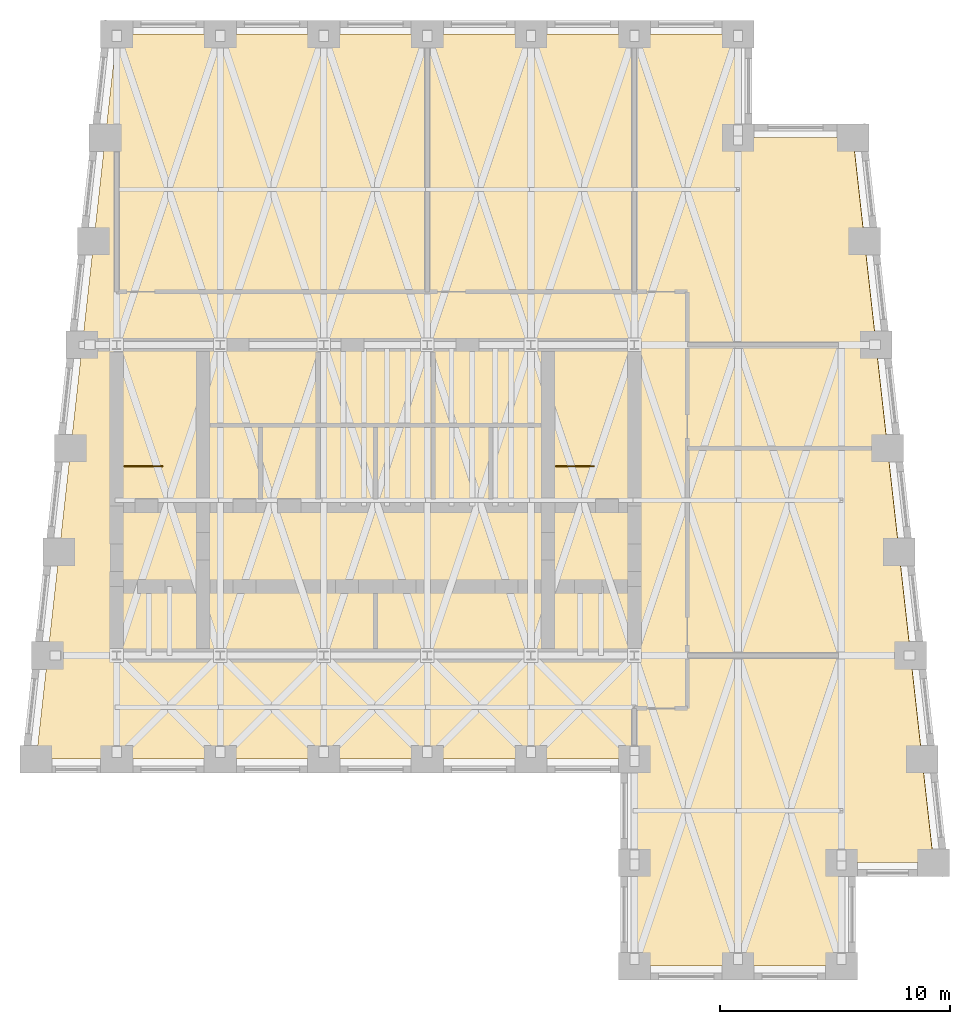
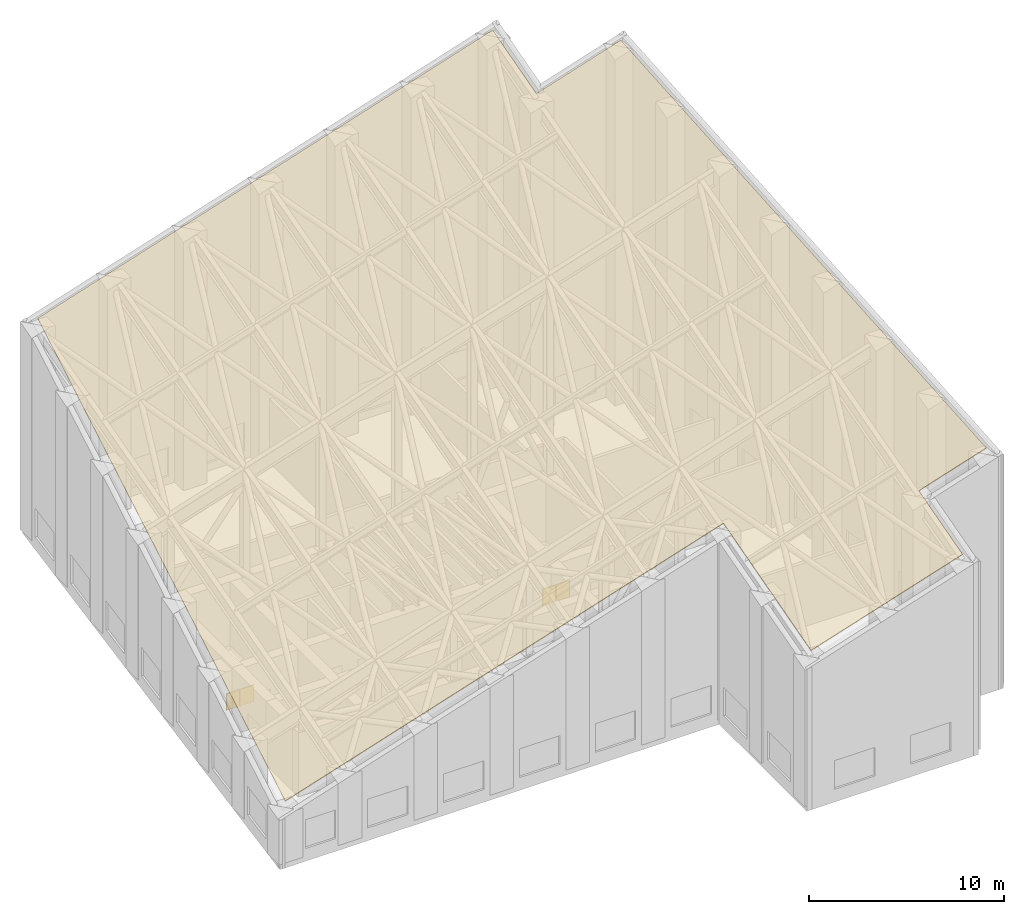
# One storey, part 7 of 7: 2 railings, 1 covering.
"""IFC4 building model written with IfcOpenShell, lengths in metres."""

from ifc_helpers import new_model, si_unit, direction, frame, origin, origin_2d, place, context, subcontext, project, spatial, polyline, circle, outline, extrude, material, layer, layer_set, type_object, element, save


model = new_model("IFC4")

# Units and contexts
model_context = context("Model", 3, precision=1e-05, world=origin(), true_north=direction((0.0, 1.0)))
body_context = subcontext(model_context, "Body", "Model", "MODEL_VIEW")
ifc_project = project(units=[si_unit("LENGTHUNIT", "METRE"), si_unit("AREAUNIT", "SQUARE_METRE"), si_unit("VOLUMEUNIT", "CUBIC_METRE"), si_unit("PLANEANGLEUNIT", "RADIAN"), si_unit("MASSUNIT", "GRAM", prefix="KILO")], contexts=[model_context])

# Site, building, storey
site_placement = place(None, origin())
site = spatial("IfcSite", under=ifc_project, at=site_placement, CompositionType="ELEMENT")
building_placement = place(site_placement, origin())
building = spatial("IfcBuilding", under=site, at=building_placement, Name="Kilele Tower Hotel", CompositionType="ELEMENT")
storey_placement = place(building_placement, frame((0.0, 0.0, 289.699951171875)))
storey = spatial("IfcBuildingStorey", under=building, at=storey_placement, Name="CROWN", CompositionType="ELEMENT", Elevation=289.699951171875)

# Railings
ifc_material_1 = material(Name="Steel guard", Category="steel")
railing_type = type_object("IfcRailingType", Name="Stair guard 1100", PredefinedType="GUARDRAIL", material=ifc_material_1)
for number, where, name in (
    (1, (13.85009765625, 21.72509765625, 0.0), "Stair guard ST1"),
    (2, (32.60009765625, 21.72509765625, 0.0), "Stair guard ST2"),
):
    element("IfcRailing", number, at=place(storey_placement, frame(where)), inside=storey, type_object=railing_type, Name=name, PredefinedType="GUARDRAIL", context=body_context, shape_type="SweptSolid", body=[
        extrude(circle(Radius=0.02490234375, at=origin_2d()), frame((0.0, 0.0, 1.0751953125), z_axis=(1.0, 0.0, 0.0), x_axis=(0.0, 1.0, 0.0)), (0.0, 0.0, 1.0), 1.625),
        extrude(circle(Radius=0.02490234375, at=origin_2d()), origin(), (0.0, 0.0, 1.0), 1.050048828125),
        extrude(circle(Radius=0.02490234375, at=origin_2d()), frame((0.8125, 0.0, 0.0)), (0.0, 0.0, 1.0), 1.050048828125),
        extrude(circle(Radius=0.02490234375, at=origin_2d()), frame((1.625, 0.0, 0.0)), (0.0, 0.0, 1.0), 1.050048828125),
        extrude(outline(polyline([(0.0, 0.030029296875), (1.625, 0.030029296875), (1.625, 1.050048828125), (0.0, 1.050048828125), (0.0, 0.030029296875)])), frame((0.0, 0.005859375, 0.0), z_axis=(0.0, -1.0, 0.0), x_axis=(1.0, 0.0, 0.0)), (0.0, 0.0, 1.0), 0.011962890625),
    ])

# Covering
ifc_material_2 = material(Name="Bronze-anodised aluminium standing-seam roofing", Category="aluminium")
ifc_layer = layer(ifc_material_2, 0.050048828125)
ifc_layer_set = layer_set([ifc_layer], Name="Bronze-anodised aluminium standing-seam roofing")
covering_type = type_object("IfcCoveringType", Name="Standing-seam roofing 50", PredefinedType="ROOFING", material=ifc_layer_set)
covering_placement = place(storey_placement, frame((10.0, 9.0, 3.42236328125), z_axis=(-0.294483216777, -0.25767314221, 0.920263107389), x_axis=(0.105370615829, 0.948337982434, 0.29925257625)))
element("IfcCovering", 3, at=covering_placement, inside=storey, type_object=covering_type, Name="Crown roofing", PredefinedType="ROOFING", context=body_context, shape_type="SweptSolid", body=[
    extrude(outline(polyline([(0.0, 0.0), (33.216064453125, 0.0), (38.646484375, -27.82373046875), (34.001953125, -28.339111328125), (35.007568359375, -33.491455078125), (3.199462890625, -40.705078125), (2.39501953125, -36.5830078125), (-2.24951171875, -37.09814453125), (-4.059814453125, -27.82373046875), (5.2294921875, -26.793212890625), (0.0, 0.0)])), origin(), (0.0, 0.0, -1.0), 0.050048828125),
])

save(model, "model.ifc")
